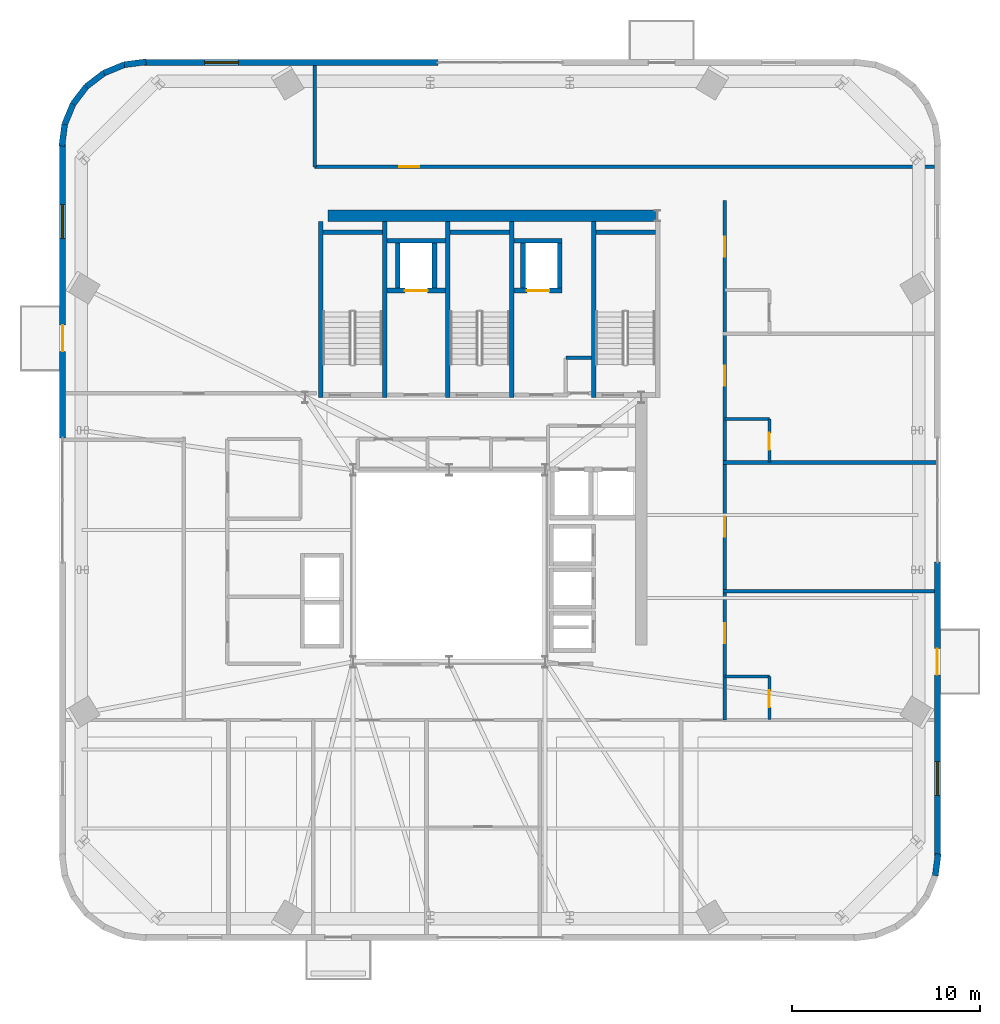
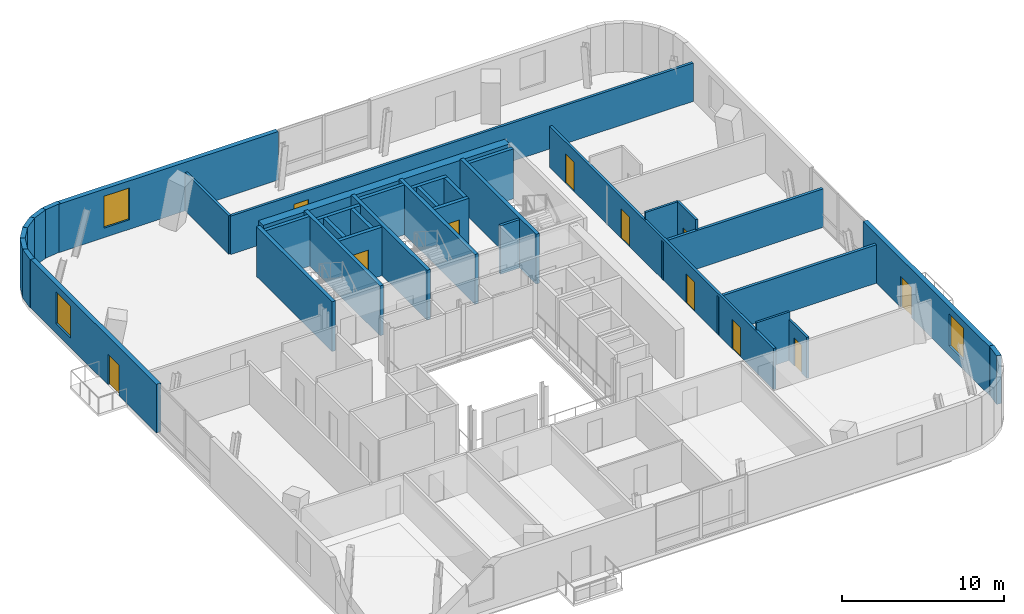
# One storey, part 9 of 12: 37 walls, 11 doors, 3 windows, 14 openings.
"""IFC4 building model written with IfcOpenShell, lengths in metres."""

from ifc_helpers import new_model, si_unit, direction, frame, frame_2d, origin, place, context, subcontext, project, spatial, rectangle, extrude, source, transform, mapped, material, layer, layer_set, type_object, element, fill, save


model = new_model("IFC4")

# Units and contexts
model_context = context("Model", 3, precision=1e-05, world=origin(), true_north=direction((0.0, 1.0)))
body_context = subcontext(model_context, "Body", "Model", "MODEL_VIEW")
ifc_project = project(units=[si_unit("LENGTHUNIT", "METRE"), si_unit("AREAUNIT", "SQUARE_METRE"), si_unit("VOLUMEUNIT", "CUBIC_METRE"), si_unit("PLANEANGLEUNIT", "RADIAN"), si_unit("MASSUNIT", "GRAM", prefix="KILO")], contexts=[model_context])

# Site, building, storey
site_placement = place(None, origin())
site = spatial("IfcSite", under=ifc_project, at=site_placement, CompositionType="ELEMENT")
building_placement = place(site_placement, origin())
building = spatial("IfcBuilding", under=site, at=building_placement, Name="Vardaveli Station Tower", CompositionType="ELEMENT")
storey_placement = place(building_placement, frame((0.0, 0.0, 254.550048828125)))
storey = spatial("IfcBuildingStorey", under=building, at=storey_placement, Name="L65", CompositionType="ELEMENT", Elevation=254.550048828125)

# Wall
ifc_material_1 = material(Name="Concrete C50/60", Category="concrete")
ifc_layer_1 = layer(ifc_material_1, 0.60009765625, Name="Concrete C50/60")
ifc_layer_set_1 = layer_set([ifc_layer_1], Name="Concrete C50/60")
wall_type_1 = type_object("IfcWallType", Name="WAL-CORE-600", PredefinedType="SHEAR", material=ifc_layer_set_1)
shared_shape_1 = source(origin(), body_context, "Body", "SweptSolid", [
    extrude(rectangle(XDim=17.52001953125, YDim=0.60009765625, at=frame_2d((8.760009765625, 0.0))), origin(), (0.0, 0.0, 1.0), 3.64990234375),
])
wall_1_placement = place(storey_placement, frame((29.85009765625, 40.300048828125, 0.0), z_axis=(0.0, 0.0, 1.0), x_axis=(1.0, 0.0, 0.0)))
element("IfcWall", 1, at=wall_1_placement, inside=storey, type_object=wall_type_1, Name="SW-L65-NORTH", PredefinedType="SHEAR", context=body_context, shape_type="MappedRepresentation", body=[
    mapped(shared_shape_1, transform((0.0, 0.0, 0.0), scale=1.0)),
])

# Wall, opening, window
ifc_material_2 = material(Name="Precast concrete C45/55", Category="concrete")
ifc_layer_2 = layer(ifc_material_2, 0.320068359375, Name="Precast concrete C45/55")
ifc_layer_set_2 = layer_set([ifc_layer_2], Name="Precast concrete C45/55")
wall_type_2 = type_object("IfcWallType", Name="WAL-EXT-STONE-320", PredefinedType="SOLIDWALL", material=ifc_layer_set_2)
shared_shape_2 = source(origin(), body_context, "Body", "SweptSolid", [
    extrude(rectangle(XDim=15.599853515625, YDim=0.320068359375, at=frame_2d((7.7998046875, 0.0))), origin(), (0.0, 0.0, 1.0), 3.64990234375),
])
wall_2_placement = place(storey_placement, frame((35.699951171875, 48.43994140625, 0.0), z_axis=(0.0, 0.0, 1.0), x_axis=(-1.0, 0.0, 0.0)))
wall_2 = element("IfcWall", 2, at=wall_2_placement, inside=storey, type_object=wall_type_2, Name="EW-L65-N2", PredefinedType="SOLIDWALL", context=body_context, shape_type="MappedRepresentation", body=[
    mapped(shared_shape_2, transform((0.0, 0.0, 0.0), scale=1.0)),
])
shared_shape_3 = source(origin(), body_context, "Body", "SweptSolid", [
    extrude(rectangle(XDim=1.800048828125, YDim=2.39990234375, at=frame_2d((0.89990234375, 1.199951171875))), frame((0.0, 0.169921875, 0.0), z_axis=(0.0, -1.0, 0.0), x_axis=(1.0, 0.0, 0.0)), (0.0, 0.0, 1.0), 0.340087890625),
])
opening_1_placement = place(wall_2_placement, frame((10.594970703125, 0.0, 0.719970703125)))
opening_1 = element("IfcOpeningElement", 3, at=opening_1_placement, cuts=wall_2, Name="Opening W-05", PredefinedType="OPENING", context=body_context, shape_type="MappedRepresentation", body=[
    mapped(shared_shape_3, transform((0.0, 0.0, 0.0), scale=1.0)),
])
ifc_material_3 = material(Name="Low-E solar-control glass", Category="glass")
window_type = type_object("IfcWindowType", Name="WIN-HIGH-1800x2400", PartitioningType="SINGLE_PANEL", PredefinedType="WINDOW", material=ifc_material_3)
shared_shape_4 = source(origin(), body_context, "Body", "SweptSolid", [
    extrude(rectangle(XDim=1.800048828125, YDim=2.39990234375, at=frame_2d((0.89990234375, 1.199951171875))), frame((0.0, 0.030029296875, 0.0), z_axis=(0.0, -1.0, 0.0), x_axis=(1.0, 0.0, 0.0)), (0.0, 0.0, 1.0), 0.06005859375),
])
window_1_placement = place(opening_1_placement, origin())
window_1 = element("IfcWindow", 4, at=window_1_placement, inside=storey, type_object=window_type, Name="WN-L65-N2", OverallHeight=2.39990234375, OverallWidth=1.800048828125, PartitioningType="SINGLE_PANEL", PredefinedType="WINDOW", context=body_context, shape_type="MappedRepresentation", body=[
    mapped(shared_shape_4, transform((0.0, 0.0, 0.0), scale=1.0)),
])
fill(opening_1, window_1)

# Wall, openings, door, window
wall_3_placement = place(storey_placement, frame((62.239990234375, 6.300048828125, 0.0), z_axis=(0.0, 0.0, 1.0), x_axis=(0.0, 1.0, 0.0)))
wall_3 = element("IfcWall", 5, at=wall_3_placement, inside=storey, type_object=wall_type_2, Name="EW-L65-E1", PredefinedType="SOLIDWALL", context=body_context, shape_type="MappedRepresentation", body=[
    mapped(shared_shape_2, transform((0.0, 0.0, 0.0), scale=1.0)),
])
shared_shape_5 = source(origin(), body_context, "Body", "SweptSolid", [
    extrude(rectangle(XDim=1.39990234375, YDim=2.300048828125, at=frame_2d((0.699951171875, 1.14990234375))), frame((0.0, 0.169921875, 0.0), z_axis=(0.0, -1.0, 0.0), x_axis=(1.0, 0.0, 0.0)), (0.0, 0.0, 1.0), 0.340087890625),
])
opening_2_placement = place(wall_3_placement, frame((9.6103515625, 0.0, 0.0)))
opening_2 = element("IfcOpeningElement", 6, at=opening_2_placement, cuts=wall_3, Name="Opening D-09", PredefinedType="OPENING", context=body_context, shape_type="MappedRepresentation", body=[
    mapped(shared_shape_5, transform((0.0, 0.0, 0.0), scale=1.0)),
])
opening_3_placement = place(wall_3_placement, frame((3.205078125, 0.0, 0.719970703125)))
opening_3 = element("IfcOpeningElement", 7, at=opening_3_placement, cuts=wall_3, Name="Opening W-05", PredefinedType="OPENING", context=body_context, shape_type="MappedRepresentation", body=[
    mapped(shared_shape_3, transform((0.0, 0.0, 0.0), scale=1.0)),
])
ifc_material_4 = material(Name="Thermally broken aluminium glass", Category="aluminium")
door_type_1 = type_object("IfcDoorType", Name="DR-LOG-1400x2300", OperationType="DOUBLE_DOOR_SLIDING", PredefinedType="DOOR", material=ifc_material_4)
shared_shape_6 = source(origin(), body_context, "Body", "SweptSolid", [
    extrude(rectangle(XDim=1.39990234375, YDim=2.300048828125, at=frame_2d((0.699951171875, 1.14990234375))), frame((0.0, 0.02490234375, 0.0), z_axis=(0.0, -1.0, 0.0), x_axis=(1.0, 0.0, 0.0)), (0.0, 0.0, 1.0), 0.050048828125),
])
door_1_placement = place(opening_2_placement, frame((1.39990234375, 0.0, 0.0), z_axis=(0.0, 0.0, 1.0), x_axis=(-1.0, 0.0, 0.0)))
door_1 = element("IfcDoor", 8, at=door_1_placement, inside=storey, type_object=door_type_1, Name="DLG-L65-E", OperationType="DOUBLE_DOOR_SLIDING", OverallHeight=2.300048828125, OverallWidth=1.39990234375, PredefinedType="DOOR", context=body_context, shape_type="MappedRepresentation", body=[
    mapped(shared_shape_6, transform((0.0, 0.0, 0.0), scale=1.0)),
])
fill(opening_2, door_1)
window_2_placement = place(opening_3_placement, origin())
window_2 = element("IfcWindow", 9, at=window_2_placement, inside=storey, type_object=window_type, Name="WN-L65-E1", OverallHeight=2.39990234375, OverallWidth=1.800048828125, PartitioningType="SINGLE_PANEL", PredefinedType="WINDOW", context=body_context, shape_type="MappedRepresentation", body=[
    mapped(shared_shape_4, transform((0.0, 0.0, 0.0), scale=1.0)),
])
fill(opening_3, window_2)

shared_shape_7 = source(origin(), body_context, "Body", "SweptSolid", [
    extrude(rectangle(XDim=15.60009765625, YDim=0.320068359375, at=frame_2d((7.800048828125, 0.0))), origin(), (0.0, 0.0, 1.0), 3.64990234375),
])
wall_4_placement = place(storey_placement, frame((15.760009765625, 44.10009765625, 0.0), z_axis=(0.0, 0.0, 1.0), x_axis=(0.0, -1.0, 0.0)))
wall_4 = element("IfcWall", 10, at=wall_4_placement, inside=storey, type_object=wall_type_2, Name="EW-L65-W1", PredefinedType="SOLIDWALL", context=body_context, shape_type="MappedRepresentation", body=[
    mapped(shared_shape_7, transform((0.0, 0.0, 0.0), scale=1.0)),
])
opening_4_placement = place(wall_4_placement, frame((9.6103515625, 0.0, 0.0)))
opening_4 = element("IfcOpeningElement", 11, at=opening_4_placement, cuts=wall_4, Name="Opening D-09", PredefinedType="OPENING", context=body_context, shape_type="MappedRepresentation", body=[
    mapped(shared_shape_5, transform((0.0, 0.0, 0.0), scale=1.0)),
])
opening_5_placement = place(wall_4_placement, frame((3.205078125, 0.0, 0.719970703125)))
opening_5 = element("IfcOpeningElement", 12, at=opening_5_placement, cuts=wall_4, Name="Opening W-05", PredefinedType="OPENING", context=body_context, shape_type="MappedRepresentation", body=[
    mapped(shared_shape_3, transform((0.0, 0.0, 0.0), scale=1.0)),
])
door_2_placement = place(opening_4_placement, frame((1.39990234375, 0.0, 0.0), z_axis=(0.0, 0.0, 1.0), x_axis=(-1.0, 0.0, 0.0)))
door_2 = element("IfcDoor", 13, at=door_2_placement, inside=storey, type_object=door_type_1, Name="DLG-L65-W", OperationType="DOUBLE_DOOR_SLIDING", OverallHeight=2.300048828125, OverallWidth=1.39990234375, PredefinedType="DOOR", context=body_context, shape_type="MappedRepresentation", body=[
    mapped(shared_shape_6, transform((0.0, 0.0, 0.0), scale=1.0)),
])
fill(opening_4, door_2)
window_3_placement = place(opening_5_placement, origin())
window_3 = element("IfcWindow", 14, at=window_3_placement, inside=storey, type_object=window_type, Name="WN-L65-W1", OverallHeight=2.39990234375, OverallWidth=1.800048828125, PartitioningType="SINGLE_PANEL", PredefinedType="WINDOW", context=body_context, shape_type="MappedRepresentation", body=[
    mapped(shared_shape_4, transform((0.0, 0.0, 0.0), scale=1.0)),
])
fill(opening_5, window_3)

# Walls
shared_shape_8 = source(origin(), body_context, "Body", "SweptSolid", [
    extrude(rectangle(XDim=1.170654296875, YDim=0.320068359375, at=frame_2d((0.58544921875, 0.0))), origin(), (0.0, 0.0, 1.0), 3.64990234375),
])
wall_5_placement = place(storey_placement, frame((62.12548828125, 5.23974609375, 0.0), z_axis=(0.0, 0.0, 1.0), x_axis=(0.128269133229, 0.991739395941, 0.0)))
element("IfcWall", 15, at=wall_5_placement, inside=storey, type_object=wall_type_2, Name="EW-L65-CR2-6", PredefinedType="SOLIDWALL", context=body_context, shape_type="MappedRepresentation", body=[
    mapped(shared_shape_8, transform((0.0, 0.0, 0.0), scale=1.0)),
])
shared_shape_9 = source(origin(), body_context, "Body", "SweptSolid", [
    extrude(rectangle(XDim=1.1689453125, YDim=0.320068359375, at=frame_2d((0.58447265625, 0.0))), origin(), (0.0, 0.0, 1.0), 3.64990234375),
])
wall_6_placement = place(storey_placement, frame((17.03125, 47.1689453125, 0.0), z_axis=(0.0, 0.0, 1.0), x_axis=(-0.608387696831, -0.793639975269, 0.0)))
element("IfcWall", 16, at=wall_6_placement, inside=storey, type_object=wall_type_2, Name="EW-L65-CR4-4", PredefinedType="SOLIDWALL", context=body_context, shape_type="MappedRepresentation", body=[
    mapped(shared_shape_9, transform((0.0, 0.0, 0.0), scale=1.0)),
])
shared_shape_10 = source(origin(), body_context, "Body", "SweptSolid", [
    extrude(rectangle(XDim=1.168701171875, YDim=0.320068359375, at=frame_2d((0.58447265625, 0.0))), origin(), (0.0, 0.0, 1.0), 3.64990234375),
])
wall_7_placement = place(storey_placement, frame((17.958740234375, 47.8798828125, 0.0), z_axis=(0.0, 0.0, 1.0), x_axis=(-0.793663520347, -0.608356981114, 0.0)))
element("IfcWall", 17, at=wall_7_placement, inside=storey, type_object=wall_type_2, Name="EW-L65-CR4-3", PredefinedType="SOLIDWALL", context=body_context, shape_type="MappedRepresentation", body=[
    mapped(shared_shape_10, transform((0.0, 0.0, 0.0), scale=1.0)),
])
shared_shape_11 = source(origin(), body_context, "Body", "SweptSolid", [
    extrude(rectangle(XDim=1.17041015625, YDim=0.320068359375, at=frame_2d((0.585205078125, 0.0))), origin(), (0.0, 0.0, 1.0), 3.64990234375),
])
for number, where, z_axis, x_axis, name in (
    (18, (20.200439453125, 48.4755859375, 0.0), (0.0, 0.0, 1.0), (-0.991735963317, -0.128295670475, 0.0), "EW-L65-CR4-1"),
    (19, (15.87451171875, 45.16015625, 0.0), (0.0, 0.0, 1.0), (-0.128295670475, -0.991735963317, 0.0), "EW-L65-CR4-6"),
):
    element("IfcWall", number, at=place(storey_placement, frame(where, z_axis=z_axis, x_axis=x_axis)), inside=storey, type_object=wall_type_2, Name=name, PredefinedType="SOLIDWALL", context=body_context, shape_type="MappedRepresentation", body=[
        mapped(shared_shape_11, transform((0.0, 0.0, 0.0), scale=1.0)),
    ])
shared_shape_12 = source(origin(), body_context, "Body", "SweptSolid", [
    extrude(rectangle(XDim=1.169189453125, YDim=0.320068359375, at=frame_2d((0.58447265625, 0.0))), origin(), (0.0, 0.0, 1.0), 3.64990234375),
])
for number, where, z_axis, x_axis, name in (
    (20, (19.039794921875, 48.325439453125, 0.0), (0.0, 0.0, 1.0), (-0.924552646638, -0.381054331552, 0.0), "EW-L65-CR4-2"),
    (21, (16.320068359375, 46.2412109375, 0.0), (0.0, 0.0, 1.0), (-0.381054331552, -0.924552646638, 0.0), "EW-L65-CR4-5"),
):
    element("IfcWall", number, at=place(storey_placement, frame(where, z_axis=z_axis, x_axis=x_axis)), inside=storey, type_object=wall_type_2, Name=name, PredefinedType="SOLIDWALL", context=body_context, shape_type="MappedRepresentation", body=[
        mapped(shared_shape_12, transform((0.0, 0.0, 0.0), scale=1.0)),
    ])
ifc_material_5 = material(Name="Concrete C40/50", Category="concrete")
ifc_layer_3 = layer(ifc_material_5, 0.25, Name="Concrete C40/50")
ifc_layer_set_3 = layer_set([ifc_layer_3], Name="Concrete C40/50")
wall_type_3 = type_object("IfcWallType", Name="WAL-SHAFT-250", PredefinedType="SOLIDWALL", material=ifc_layer_set_3)
shared_shape_13 = source(origin(), body_context, "Body", "SweptSolid", [
    extrude(rectangle(XDim=9.35009765625, YDim=0.25, at=frame_2d((4.675048828125, 0.0))), origin(), (0.0, 0.0, 1.0), 3.75),
])
for number, where, z_axis, x_axis, name in (
    (22, (29.47509765625, 30.64990234375, 0.0), (0.0, 0.0, 1.0), (0.0, 1.0, 0.0), "W-L65-ST-1W"),
    (23, (32.875, 30.64990234375, 0.0), (0.0, 0.0, 1.0), (0.0, 1.0, 0.0), "W-L65-ST-1E"),
    (24, (36.22509765625, 30.64990234375, 0.0), (0.0, 0.0, 1.0), (0.0, 1.0, 0.0), "W-L65-ST-2W"),
    (25, (39.625, 30.64990234375, 0.0), (0.0, 0.0, 1.0), (0.0, 1.0, 0.0), "W-L65-ST-2E"),
    (26, (43.97509765625, 30.64990234375, 0.0), (0.0, 0.0, 1.0), (0.0, 1.0, 0.0), "W-L65-ST-3W"),
):
    element("IfcWall", number, at=place(storey_placement, frame(where, z_axis=z_axis, x_axis=x_axis)), inside=storey, type_object=wall_type_3, Name=name, PredefinedType="SOLIDWALL", context=body_context, shape_type="MappedRepresentation", body=[
        mapped(shared_shape_13, transform((0.0, 0.0, 0.0), scale=1.0)),
    ])
shared_shape_14 = source(origin(), body_context, "Body", "SweptSolid", [
    extrude(rectangle(XDim=3.14990234375, YDim=0.25, at=frame_2d((1.574951171875, 0.0))), origin(), (0.0, 0.0, 1.0), 3.75),
])
for number, where, z_axis, x_axis, name in (
    (27, (29.60009765625, 39.425048828125, 0.0), (0.0, 0.0, 1.0), (1.0, 0.0, 0.0), "W-L65-ST-1N"),
    (28, (36.35009765625, 39.425048828125, 0.0), (0.0, 0.0, 1.0), (1.0, 0.0, 0.0), "W-L65-ST-2N"),
    (29, (44.10009765625, 39.425048828125, 0.0), (0.0, 0.0, 1.0), (1.0, 0.0, 0.0), "W-L65-ST-3N"),
):
    element("IfcWall", number, at=place(storey_placement, frame(where, z_axis=z_axis, x_axis=x_axis)), inside=storey, type_object=wall_type_3, Name=name, PredefinedType="SOLIDWALL", context=body_context, shape_type="MappedRepresentation", body=[
        mapped(shared_shape_14, transform((0.0, 0.0, 0.0), scale=1.0)),
    ])

# Wall, opening, door
shared_shape_15 = source(origin(), body_context, "Body", "SweptSolid", [
    extrude(rectangle(XDim=3.10009765625, YDim=0.25, at=frame_2d((1.550048828125, 0.0))), origin(), (0.0, 0.0, 1.0), 3.64990234375),
])
wall_8_placement = place(storey_placement, frame((33.0, 36.324951171875, 0.0), z_axis=(0.0, 0.0, 1.0), x_axis=(1.0, 0.0, 0.0)))
wall_8 = element("IfcWall", 30, at=wall_8_placement, inside=storey, type_object=wall_type_3, Name="SHW-FFL-01-L65-S", PredefinedType="SOLIDWALL", context=body_context, shape_type="MappedRepresentation", body=[
    mapped(shared_shape_15, transform((0.0, 0.0, 0.0), scale=1.0)),
])
shared_shape_16 = source(origin(), body_context, "Body", "SweptSolid", [
    extrude(rectangle(XDim=1.199951171875, YDim=2.25, at=frame_2d((0.60009765625, 1.125))), frame((0.0, 0.135009765625, 0.0), z_axis=(0.0, -1.0, 0.0), x_axis=(1.0, 0.0, 0.0)), (0.0, 0.0, 1.0), 0.27001953125),
])
opening_6_placement = place(wall_8_placement, frame((0.949951171875, 0.0, 0.0)))
opening_6 = element("IfcOpeningElement", 31, at=opening_6_placement, cuts=wall_8, Name="Opening LD-02", PredefinedType="OPENING", context=body_context, shape_type="MappedRepresentation", body=[
    mapped(shared_shape_16, transform((0.0, 0.0, 0.0), scale=1.0)),
])
ifc_material_6 = material(Name="Brushed stainless steel", Category="steel")
door_type_2 = type_object("IfcDoorType", Name="DR-LD-1200x2250", OperationType="DOUBLE_DOOR_SLIDING", PredefinedType="DOOR", material=ifc_material_6)
shared_shape_17 = source(origin(), body_context, "Body", "SweptSolid", [
    extrude(rectangle(XDim=1.199951171875, YDim=2.25, at=frame_2d((0.60009765625, 1.125))), frame((0.0, 0.02490234375, 0.0), z_axis=(0.0, -1.0, 0.0), x_axis=(1.0, 0.0, 0.0)), (0.0, 0.0, 1.0), 0.050048828125),
])
door_3_placement = place(opening_6_placement, origin())
door_3 = element("IfcDoor", 32, at=door_3_placement, inside=storey, type_object=door_type_2, Name="LD-FFL-01-L65", OperationType="DOUBLE_DOOR_SLIDING", OverallHeight=2.25, OverallWidth=1.199951171875, PredefinedType="DOOR", context=body_context, shape_type="MappedRepresentation", body=[
    mapped(shared_shape_17, transform((0.0, 0.0, 0.0), scale=1.0)),
])
fill(opening_6, door_3)

# Walls
wall_9_placement = place(storey_placement, frame((33.0, 38.97509765625, 0.0), z_axis=(0.0, 0.0, 1.0), x_axis=(1.0, 0.0, 0.0)))
element("IfcWall", 33, at=wall_9_placement, inside=storey, type_object=wall_type_3, Name="SHW-FFL-01-L65-N", PredefinedType="SOLIDWALL", context=body_context, shape_type="MappedRepresentation", body=[
    mapped(shared_shape_15, transform((0.0, 0.0, 0.0), scale=1.0)),
])
shared_shape_18 = source(origin(), body_context, "Body", "SweptSolid", [
    extrude(rectangle(XDim=2.400146484375, YDim=0.25, at=frame_2d((1.2001953125, 0.0))), origin(), (0.0, 0.0, 1.0), 3.64990234375),
])
for number, where, z_axis, x_axis, name in (
    (34, (33.574951171875, 36.449951171875, 0.0), (0.0, 0.0, 1.0), (0.0, 1.0, 0.0), "SHW-FFL-01-L65-W"),
    (35, (35.52490234375, 36.449951171875, 0.0), (0.0, 0.0, 1.0), (0.0, 1.0, 0.0), "SHW-FFL-01-L65-E"),
    (36, (40.22509765625, 36.449951171875, 0.0), (0.0, 0.0, 1.0), (0.0, 1.0, 0.0), "SHW-FFL-02-L65-W"),
    (37, (42.175048828125, 36.449951171875, 0.0), (0.0, 0.0, 1.0), (0.0, 1.0, 0.0), "SHW-FFL-02-L65-E"),
):
    element("IfcWall", number, at=place(storey_placement, frame(where, z_axis=z_axis, x_axis=x_axis)), inside=storey, type_object=wall_type_3, Name=name, PredefinedType="SOLIDWALL", context=body_context, shape_type="MappedRepresentation", body=[
        mapped(shared_shape_18, transform((0.0, 0.0, 0.0), scale=1.0)),
    ])

# Wall, opening, door
shared_shape_19 = source(origin(), body_context, "Body", "SweptSolid", [
    extrude(rectangle(XDim=2.550048828125, YDim=0.25, at=frame_2d((1.27490234375, 0.0))), origin(), (0.0, 0.0, 1.0), 3.64990234375),
])
wall_10_placement = place(storey_placement, frame((39.75, 36.324951171875, 0.0), z_axis=(0.0, 0.0, 1.0), x_axis=(1.0, 0.0, 0.0)))
wall_10 = element("IfcWall", 38, at=wall_10_placement, inside=storey, type_object=wall_type_3, Name="SHW-FFL-02-L65-S", PredefinedType="SOLIDWALL", context=body_context, shape_type="MappedRepresentation", body=[
    mapped(shared_shape_19, transform((0.0, 0.0, 0.0), scale=1.0)),
])
opening_7_placement = place(wall_10_placement, frame((0.675048828125, 0.0, 0.0)))
opening_7 = element("IfcOpeningElement", 39, at=opening_7_placement, cuts=wall_10, Name="Opening LD-02", PredefinedType="OPENING", context=body_context, shape_type="MappedRepresentation", body=[
    mapped(shared_shape_16, transform((0.0, 0.0, 0.0), scale=1.0)),
])
door_4_placement = place(opening_7_placement, origin())
door_4 = element("IfcDoor", 40, at=door_4_placement, inside=storey, type_object=door_type_2, Name="LD-FFL-02-L65", OperationType="DOUBLE_DOOR_SLIDING", OverallHeight=2.25, OverallWidth=1.199951171875, PredefinedType="DOOR", context=body_context, shape_type="MappedRepresentation", body=[
    mapped(shared_shape_17, transform((0.0, 0.0, 0.0), scale=1.0)),
])
fill(opening_7, door_4)

# Wall
wall_11_placement = place(storey_placement, frame((39.75, 38.97509765625, 0.0), z_axis=(0.0, 0.0, 1.0), x_axis=(1.0, 0.0, 0.0)))
element("IfcWall", 41, at=wall_11_placement, inside=storey, type_object=wall_type_3, Name="SHW-FFL-02-L65-N", PredefinedType="SOLIDWALL", context=body_context, shape_type="MappedRepresentation", body=[
    mapped(shared_shape_19, transform((0.0, 0.0, 0.0), scale=1.0)),
])

# Wall, opening, door
ifc_material_7 = material(Name="Fire-rated gypsum stud partition")
ifc_layer_4 = layer(ifc_material_7, 0.179931640625, Name="Fire-rated gypsum stud partition")
ifc_layer_set_4 = layer_set([ifc_layer_4], Name="Fire-rated gypsum stud partition")
wall_type_4 = type_object("IfcWallType", Name="WAL-CORR-180", PredefinedType="PARTITIONING", material=ifc_layer_set_4)
shared_shape_20 = source(origin(), body_context, "Body", "SweptSolid", [
    extrude(rectangle(XDim=32.927978515625, YDim=0.179931640625, at=frame_2d((16.4638671875, 0.0))), origin(), (0.0, 0.0, 1.0), 2.891845703125),
])
wall_12_placement = place(storey_placement, frame((29.14990234375, 42.89990234375, 0.0), z_axis=(0.0, 0.0, 1.0), x_axis=(1.0, 0.0, 0.0)))
wall_12 = element("IfcWall", 42, at=wall_12_placement, inside=storey, type_object=wall_type_4, Name="W-L65-NPS", PredefinedType="PARTITIONING", context=body_context, shape_type="MappedRepresentation", body=[
    mapped(shared_shape_20, transform((0.0, 0.0, 0.0), scale=1.0)),
])
shared_shape_21 = source(origin(), body_context, "Body", "SweptSolid", [
    extrude(rectangle(XDim=1.050048828125, YDim=2.199951171875, at=frame_2d((0.52490234375, 1.10009765625))), frame((0.0, 0.10009765625, 0.0), z_axis=(0.0, -1.0, 0.0), x_axis=(1.0, 0.0, 0.0)), (0.0, 0.0, 1.0), 0.199951171875),
])
opening_8_placement = place(wall_12_placement, frame((4.5, 0.0, 0.0)))
opening_8 = element("IfcOpeningElement", 43, at=opening_8_placement, cuts=wall_12, Name="Opening D-05", PredefinedType="OPENING", context=body_context, shape_type="MappedRepresentation", body=[
    mapped(shared_shape_21, transform((0.0, 0.0, 0.0), scale=1.0)),
])
ifc_material_8 = material(Name="Walnut veneer acoustic fire door")
door_type_3 = type_object("IfcDoorType", Name="DR-SUITE-1050x2200", OperationType="NOTDEFINED", PredefinedType="DOOR", material=ifc_material_8)
shared_shape_22 = source(origin(), body_context, "Body", "SweptSolid", [
    extrude(rectangle(XDim=1.050048828125, YDim=2.199951171875, at=frame_2d((0.52490234375, 1.10009765625))), frame((0.0, 0.02490234375, 0.0), z_axis=(0.0, -1.0, 0.0), x_axis=(1.0, 0.0, 0.0)), (0.0, 0.0, 1.0), 0.050048828125),
])
door_5_placement = place(opening_8_placement, origin())
door_5 = element("IfcDoor", 44, at=door_5_placement, inside=storey, type_object=door_type_3, Name="D-L65-NP1", OperationType="SINGLE_SWING_LEFT", OverallHeight=2.199951171875, OverallWidth=1.050048828125, PredefinedType="DOOR", context=body_context, shape_type="MappedRepresentation", body=[
    mapped(shared_shape_22, transform((0.0, 0.0, 0.0), scale=1.0)),
])
fill(opening_8, door_5)

ifc_material_9 = material(Name="Moisture-resistant stud partition")
ifc_layer_5 = layer(ifc_material_9, 0.14990234375, Name="Moisture-resistant stud partition")
ifc_layer_set_5 = layer_set([ifc_layer_5], Name="Moisture-resistant stud partition")
wall_type_5 = type_object("IfcWallType", Name="WAL-WET-150", PredefinedType="PARTITIONING", material=ifc_layer_set_5)
shared_shape_23 = source(origin(), body_context, "Body", "SweptSolid", [
    extrude(rectangle(XDim=2.289794921875, YDim=0.14990234375, at=frame_2d((1.14501953125, 0.0))), origin(), (0.0, 0.0, 1.0), 3.64990234375),
])
wall_13_placement = place(storey_placement, frame((53.31005859375, 27.215087890625, 0.0), z_axis=(0.0, 0.0, 1.0), x_axis=(0.0, 1.0, 0.0)))
wall_13 = element("IfcWall", 45, at=wall_13_placement, inside=storey, type_object=wall_type_5, Name="W-L65-BE3-E", PredefinedType="PARTITIONING", context=body_context, shape_type="MappedRepresentation", body=[
    mapped(shared_shape_23, transform((0.0, 0.0, 0.0), scale=1.0)),
])
shared_shape_24 = source(origin(), body_context, "Body", "SweptSolid", [
    extrude(rectangle(XDim=0.89990234375, YDim=2.10009765625, at=frame_2d((0.449951171875, 1.050048828125))), frame((0.0, 0.0849609375, 0.0), z_axis=(0.0, -1.0, 0.0), x_axis=(1.0, 0.0, 0.0)), (0.0, 0.0, 1.0), 0.169921875),
])
opening_9_placement = place(wall_13_placement, frame((0.64990234375, 0.0, 0.0)))
opening_9 = element("IfcOpeningElement", 46, at=opening_9_placement, cuts=wall_13, Name="Opening D-08", PredefinedType="OPENING", context=body_context, shape_type="MappedRepresentation", body=[
    mapped(shared_shape_24, transform((0.0, 0.0, 0.0), scale=1.0)),
])
ifc_material_10 = material(Name="Moisture-resistant oak door")
door_type_4 = type_object("IfcDoorType", Name="DR-BATH-900x2100", OperationType="NOTDEFINED", PredefinedType="DOOR", material=ifc_material_10)
shared_shape_25 = source(origin(), body_context, "Body", "SweptSolid", [
    extrude(rectangle(XDim=0.89990234375, YDim=2.10009765625, at=frame_2d((0.449951171875, 1.050048828125))), frame((0.0, 0.02490234375, 0.0), z_axis=(0.0, -1.0, 0.0), x_axis=(1.0, 0.0, 0.0)), (0.0, 0.0, 1.0), 0.050048828125),
])
door_6_placement = place(opening_9_placement, origin())
door_6 = element("IfcDoor", 47, at=door_6_placement, inside=storey, type_object=door_type_4, Name="D-L65-BE3", OperationType="SINGLE_SWING_RIGHT", OverallHeight=2.10009765625, OverallWidth=0.89990234375, PredefinedType="DOOR", context=body_context, shape_type="MappedRepresentation", body=[
    mapped(shared_shape_25, transform((0.0, 0.0, 0.0), scale=1.0)),
])
fill(opening_9, door_6)

# Walls
ifc_material_11 = material(Name="Acoustic twin-stud gypsum partition")
ifc_layer_6 = layer(ifc_material_11, 0.199951171875, Name="Acoustic twin-stud gypsum partition")
ifc_layer_set_6 = layer_set([ifc_layer_6], Name="Acoustic twin-stud gypsum partition")
wall_type_6 = type_object("IfcWallType", Name="WAL-PARTY-200", PredefinedType="PARTITIONING", material=ifc_layer_set_6)
shared_shape_26 = source(origin(), body_context, "Body", "SweptSolid", [
    extrude(rectangle(XDim=11.227783203125, YDim=0.199951171875, at=frame_2d((5.61376953125, 0.0))), origin(), (0.0, 0.0, 1.0), 2.891845703125),
])
wall_14_placement = place(storey_placement, frame((50.85009765625, 20.35205078125, 0.0), z_axis=(0.0, 0.0, 1.0), x_axis=(1.0, 0.0, 0.0)))
element("IfcWall", 48, at=wall_14_placement, inside=storey, type_object=wall_type_6, Name="W-L65-PE1", PredefinedType="PARTITIONING", context=body_context, shape_type="MappedRepresentation", body=[
    mapped(shared_shape_26, transform((0.0, 0.0, 0.0), scale=1.0)),
])
shared_shape_27 = source(origin(), body_context, "Body", "SweptSolid", [
    extrude(rectangle(XDim=11.419921875, YDim=0.199951171875, at=frame_2d((5.7099609375, 0.0))), origin(), (0.0, 0.0, 1.0), 2.891845703125),
])
wall_15_placement = place(storey_placement, frame((50.85009765625, 27.195068359375, 0.0), z_axis=(0.0, 0.0, 1.0), x_axis=(1.0, 0.0, 0.0)))
element("IfcWall", 49, at=wall_15_placement, inside=storey, type_object=wall_type_6, Name="W-L65-PE2", PredefinedType="PARTITIONING", context=body_context, shape_type="MappedRepresentation", body=[
    mapped(shared_shape_27, transform((0.0, 0.0, 0.0), scale=1.0)),
])
shared_shape_28 = source(origin(), body_context, "Body", "SweptSolid", [
    extrude(rectangle(XDim=5.378173828125, YDim=0.179931640625, at=frame_2d((2.68896484375, 0.0))), origin(), (0.0, 0.0, 1.0), 2.891845703125),
])
wall_16_placement = place(storey_placement, frame((29.14990234375, 42.89990234375, 0.0), z_axis=(0.0, 0.0, 1.0), x_axis=(0.0, 1.0, 0.0)))
element("IfcWall", 50, at=wall_16_placement, inside=storey, type_object=wall_type_4, Name="W-L65-NPW", PredefinedType="PARTITIONING", context=body_context, shape_type="MappedRepresentation", body=[
    mapped(shared_shape_28, transform((0.0, 0.0, 0.0), scale=1.0)),
])
shared_shape_29 = source(origin(), body_context, "Body", "SweptSolid", [
    extrude(rectangle(XDim=2.360107421875, YDim=0.14990234375, at=frame_2d((1.18017578125, 0.0))), origin(), (0.0, 0.0, 1.0), 3.64990234375),
])
for number, where, z_axis, x_axis, name in (
    (51, (50.949951171875, 15.820068359375, 0.0), (0.0, 0.0, 1.0), (1.0, 0.0, 0.0), "W-L65-BE1-N"),
    (52, (50.949951171875, 29.5048828125, 0.0), (0.0, 0.0, 1.0), (1.0, 0.0, 0.0), "W-L65-BE3-N"),
):
    element("IfcWall", number, at=place(storey_placement, frame(where, z_axis=z_axis, x_axis=x_axis)), inside=storey, type_object=wall_type_5, Name=name, PredefinedType="PARTITIONING", context=body_context, shape_type="MappedRepresentation", body=[
        mapped(shared_shape_29, transform((0.0, 0.0, 0.0), scale=1.0)),
    ])

# Wall, openings, doors
shared_shape_30 = source(origin(), body_context, "Body", "SweptSolid", [
    extrude(rectangle(XDim=27.590087890625, YDim=0.179931640625, at=frame_2d((13.794921875, 0.0))), origin(), (0.0, 0.0, 1.0), 3.092041015625),
])
wall_17_placement = place(storey_placement, frame((50.949951171875, 13.510009765625, 0.0), z_axis=(0.0, 0.0, 1.0), x_axis=(0.0, 1.0, 0.0)))
wall_17 = element("IfcWall", 53, at=wall_17_placement, inside=storey, type_object=wall_type_4, Name="W-L65-CE", PredefinedType="PARTITIONING", context=body_context, shape_type="MappedRepresentation", body=[
    mapped(shared_shape_30, transform((0.0, 0.0, 0.0), scale=1.0)),
])
opening_10_placement = place(wall_17_placement, frame((4.086181640625, 0.0, 0.0)))
opening_10 = element("IfcOpeningElement", 54, at=opening_10_placement, cuts=wall_17, Name="Opening D-05", PredefinedType="OPENING", context=body_context, shape_type="MappedRepresentation", body=[
    mapped(shared_shape_21, transform((0.0, 0.0, 0.0), scale=1.0)),
])
opening_11_placement = place(wall_17_placement, frame((9.743896484375, 0.0, 0.0)))
opening_11 = element("IfcOpeningElement", 55, at=opening_11_placement, cuts=wall_17, Name="Opening D-05", PredefinedType="OPENING", context=body_context, shape_type="MappedRepresentation", body=[
    mapped(shared_shape_21, transform((0.0, 0.0, 0.0), scale=1.0)),
])
opening_12_placement = place(wall_17_placement, frame((17.771240234375, 0.0, 0.0)))
opening_12 = element("IfcOpeningElement", 56, at=opening_12_placement, cuts=wall_17, Name="Opening D-05", PredefinedType="OPENING", context=body_context, shape_type="MappedRepresentation", body=[
    mapped(shared_shape_21, transform((0.0, 0.0, 0.0), scale=1.0)),
])
opening_13_placement = place(wall_17_placement, frame((24.61376953125, 0.0, 0.0)))
opening_13 = element("IfcOpeningElement", 57, at=opening_13_placement, cuts=wall_17, Name="Opening D-05", PredefinedType="OPENING", context=body_context, shape_type="MappedRepresentation", body=[
    mapped(shared_shape_21, transform((0.0, 0.0, 0.0), scale=1.0)),
])
door_7_placement = place(opening_10_placement, origin())
door_7 = element("IfcDoor", 58, at=door_7_placement, inside=storey, type_object=door_type_3, Name="D-L65-GE1", OperationType="SINGLE_SWING_RIGHT", OverallHeight=2.199951171875, OverallWidth=1.050048828125, PredefinedType="DOOR", context=body_context, shape_type="MappedRepresentation", body=[
    mapped(shared_shape_22, transform((0.0, 0.0, 0.0), scale=1.0)),
])
fill(opening_10, door_7)
door_8_placement = place(opening_11_placement, origin())
door_8 = element("IfcDoor", 59, at=door_8_placement, inside=storey, type_object=door_type_3, Name="D-L65-GE2", OperationType="SINGLE_SWING_LEFT", OverallHeight=2.199951171875, OverallWidth=1.050048828125, PredefinedType="DOOR", context=body_context, shape_type="MappedRepresentation", body=[
    mapped(shared_shape_22, transform((0.0, 0.0, 0.0), scale=1.0)),
])
fill(opening_11, door_8)
door_9_placement = place(opening_12_placement, origin())
door_9 = element("IfcDoor", 60, at=door_9_placement, inside=storey, type_object=door_type_3, Name="D-L65-GE3", OperationType="SINGLE_SWING_RIGHT", OverallHeight=2.199951171875, OverallWidth=1.050048828125, PredefinedType="DOOR", context=body_context, shape_type="MappedRepresentation", body=[
    mapped(shared_shape_22, transform((0.0, 0.0, 0.0), scale=1.0)),
])
fill(opening_12, door_9)
door_10_placement = place(opening_13_placement, origin())
door_10 = element("IfcDoor", 61, at=door_10_placement, inside=storey, type_object=door_type_3, Name="D-L65-GE4", OperationType="SINGLE_SWING_LEFT", OverallHeight=2.199951171875, OverallWidth=1.050048828125, PredefinedType="DOOR", context=body_context, shape_type="MappedRepresentation", body=[
    mapped(shared_shape_22, transform((0.0, 0.0, 0.0), scale=1.0)),
])
fill(opening_13, door_10)

# Wall, opening, door
shared_shape_31 = source(origin(), body_context, "Body", "SweptSolid", [
    extrude(rectangle(XDim=2.2900390625, YDim=0.14990234375, at=frame_2d((1.14501953125, 0.0))), origin(), (0.0, 0.0, 1.0), 3.092041015625),
])
wall_18_placement = place(storey_placement, frame((53.31005859375, 13.530029296875, 0.0), z_axis=(0.0, 0.0, 1.0), x_axis=(0.0, 1.0, 0.0)))
wall_18 = element("IfcWall", 62, at=wall_18_placement, inside=storey, type_object=wall_type_5, Name="W-L65-BE1-E", PredefinedType="PARTITIONING", context=body_context, shape_type="MappedRepresentation", body=[
    mapped(shared_shape_31, transform((0.0, 0.0, 0.0), scale=1.0)),
])
opening_14_placement = place(wall_18_placement, frame((0.64990234375, 0.0, 0.0)))
opening_14 = element("IfcOpeningElement", 63, at=opening_14_placement, cuts=wall_18, Name="Opening D-08", PredefinedType="OPENING", context=body_context, shape_type="MappedRepresentation", body=[
    mapped(shared_shape_24, transform((0.0, 0.0, 0.0), scale=1.0)),
])
door_11_placement = place(opening_14_placement, origin())
door_11 = element("IfcDoor", 64, at=door_11_placement, inside=storey, type_object=door_type_4, Name="D-L65-BE1", OperationType="SINGLE_SWING_LEFT", OverallHeight=2.10009765625, OverallWidth=0.89990234375, PredefinedType="DOOR", context=body_context, shape_type="MappedRepresentation", body=[
    mapped(shared_shape_25, transform((0.0, 0.0, 0.0), scale=1.0)),
])
fill(opening_14, door_11)

# Wall
shared_shape_32 = source(origin(), body_context, "Body", "SweptSolid", [
    extrude(rectangle(XDim=1.347900390625, YDim=0.179931640625, at=frame_2d((0.673828125, 0.0))), origin(), (0.0, 0.0, 1.0), 3.64990234375),
])
wall_19_placement = place(storey_placement, frame((42.5, 32.75, 0.0), z_axis=(0.0, 0.0, 1.0), x_axis=(1.0, 0.0, 0.0)))
element("IfcWall", 65, at=wall_19_placement, inside=storey, type_object=wall_type_4, Name="W-L65-CBS2A-N", PredefinedType="PARTITIONING", context=body_context, shape_type="MappedRepresentation", body=[
    mapped(shared_shape_32, transform((0.0, 0.0, 0.0), scale=1.0)),
])

save(model, "model.ifc")
